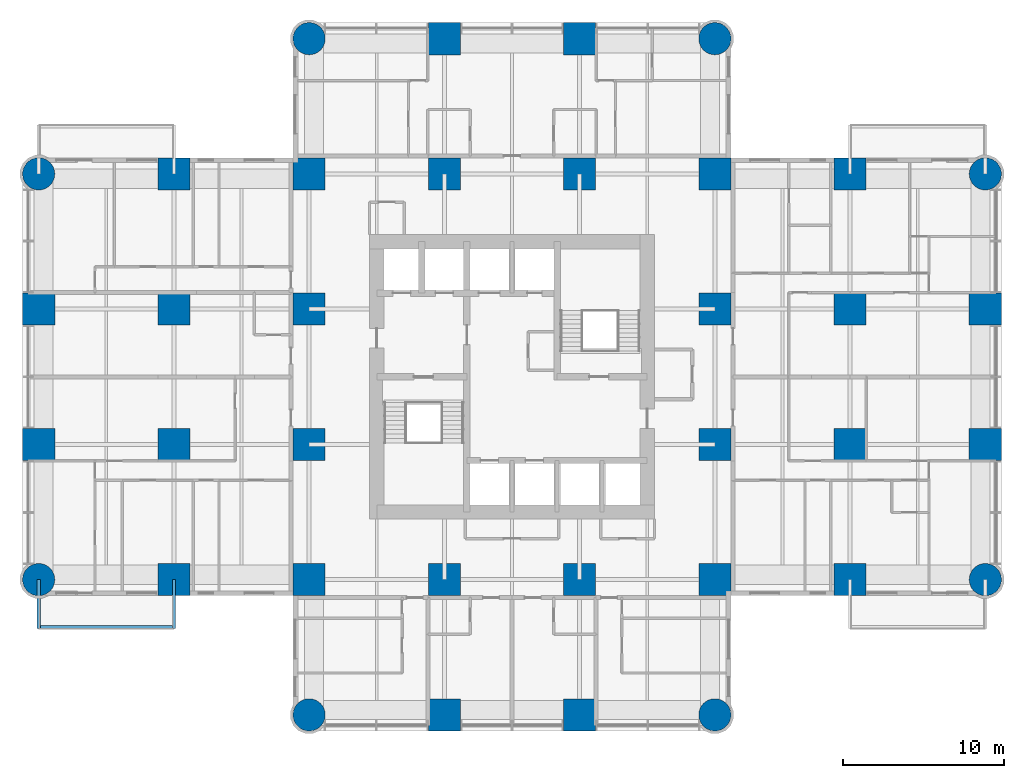
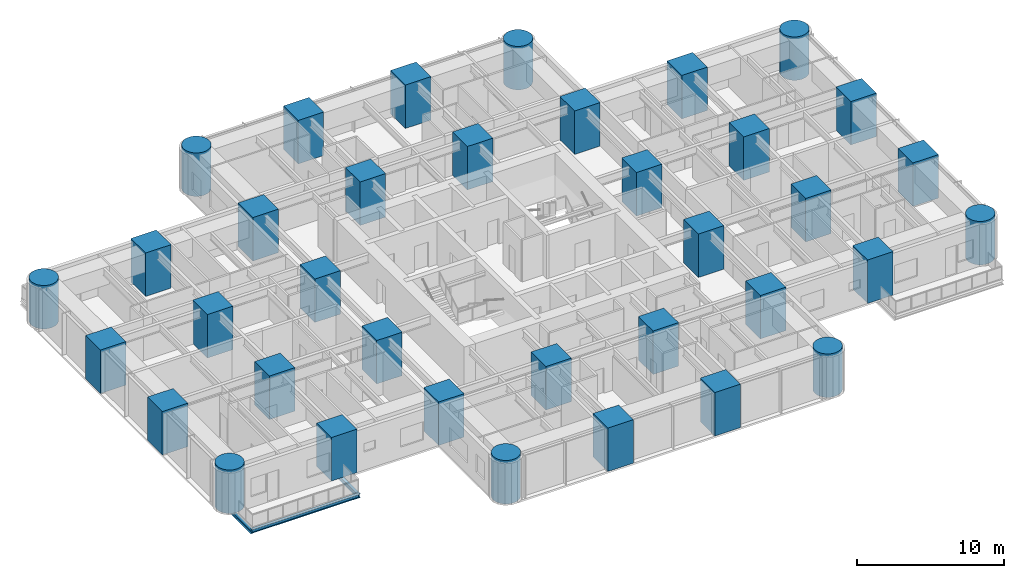
# One storey, part 1 of 14: 36 columns, 3 beams.
"""IFC4 building model written with IfcOpenShell, lengths in metres."""

from ifc_helpers import new_model, si_unit, direction, frame, origin, origin_2d, place, context, subcontext, project, spatial, rectangle, circle, i_section, extrude, material, material_profile, profile_set, type_object, element, save


model = new_model("IFC4")

# Units and contexts
model_context = context("Model", 3, precision=1e-05, world=origin(), true_north=direction((0.0, 1.0)))
body_context = subcontext(model_context, "Body", "Model", "MODEL_VIEW")
ifc_project = project(units=[si_unit("LENGTHUNIT", "METRE"), si_unit("AREAUNIT", "SQUARE_METRE"), si_unit("VOLUMEUNIT", "CUBIC_METRE"), si_unit("PLANEANGLEUNIT", "RADIAN"), si_unit("MASSUNIT", "GRAM", prefix="KILO")], contexts=[model_context])

# Site, building, storey
site_placement = place(None, origin())
site = spatial("IfcSite", under=ifc_project, at=site_placement, CompositionType="ELEMENT")
building_placement = place(site_placement, origin())
building = spatial("IfcBuilding", under=site, at=building_placement, Name="Torre Alcanfor", CompositionType="ELEMENT")
storey_placement = place(building_placement, frame((0.0, 0.0, 112.5)))
storey = spatial("IfcBuildingStorey", under=building, at=storey_placement, Name="L28", CompositionType="ELEMENT", Elevation=112.5)

# Columns
ifc_material_1 = material(Name="Concrete f'c 70 MPa", Category="concrete")
ifc_material_profile_1 = material_profile(ifc_material_1, rectangle(XDim=2.0, YDim=2.0, at=origin_2d()), Name="2000x2000")
ifc_profile_set_1 = profile_set([ifc_material_profile_1], Name="Concrete f'c 70 MPa")
column_type_1 = type_object("IfcColumnType", Name="RC column 2000x2000 f'c70", PredefinedType="COLUMN", material=ifc_profile_set_1)
for number, where, z_axis, x_axis, name in (
    (1, (0.0, 25.199951171875, 0.0), (0.0, 0.0, 1.0), (1.0, 0.0, 0.0), "Column 1/F L28"),
    (2, (0.0, 33.60009765625, 0.0), (0.0, 0.0, 1.0), (1.0, 0.0, 0.0), "Column 1/G L28"),
    (3, (8.39990234375, 16.800048828125, 0.0), (0.0, 0.0, 1.0), (1.0, 0.0, 0.0), "Column 2/E L28"),
    (4, (8.39990234375, 25.199951171875, 0.0), (0.0, 0.0, 1.0), (1.0, 0.0, 0.0), "Column 2/F L28"),
    (5, (8.39990234375, 33.60009765625, 0.0), (0.0, 0.0, 1.0), (1.0, 0.0, 0.0), "Column 2/G L28"),
    (6, (8.39990234375, 42.0, 0.0), (0.0, 0.0, 1.0), (1.0, 0.0, 0.0), "Column 2/H L28"),
    (7, (16.800048828125, 16.800048828125, 0.0), (0.0, 0.0, 1.0), (1.0, 0.0, 0.0), "Column 3/E L28"),
    (8, (16.800048828125, 25.199951171875, 0.0), (0.0, 0.0, 1.0), (1.0, 0.0, 0.0), "Column 3/F L28"),
    (9, (16.800048828125, 33.60009765625, 0.0), (0.0, 0.0, 1.0), (1.0, 0.0, 0.0), "Column 3/G L28"),
    (10, (16.800048828125, 42.0, 0.0), (0.0, 0.0, 1.0), (1.0, 0.0, 0.0), "Column 3/H L28"),
    (11, (25.199951171875, 8.39990234375, 0.0), (0.0, 0.0, 1.0), (1.0, 0.0, 0.0), "Column 4/D L28"),
    (12, (25.199951171875, 16.800048828125, 0.0), (0.0, 0.0, 1.0), (1.0, 0.0, 0.0), "Column 4/E L28"),
    (13, (25.199951171875, 42.0, 0.0), (0.0, 0.0, 1.0), (1.0, 0.0, 0.0), "Column 4/H L28"),
    (14, (25.199951171875, 50.39990234375, 0.0), (0.0, 0.0, 1.0), (1.0, 0.0, 0.0), "Column 4/J L28"),
    (15, (33.60009765625, 8.39990234375, 0.0), (0.0, 0.0, 1.0), (1.0, 0.0, 0.0), "Column 5/D L28"),
    (16, (33.60009765625, 16.800048828125, 0.0), (0.0, 0.0, 1.0), (1.0, 0.0, 0.0), "Column 5/E L28"),
    (17, (33.60009765625, 42.0, 0.0), (0.0, 0.0, 1.0), (1.0, 0.0, 0.0), "Column 5/H L28"),
    (18, (33.60009765625, 50.39990234375, 0.0), (0.0, 0.0, 1.0), (1.0, 0.0, 0.0), "Column 5/J L28"),
    (19, (42.0, 16.800048828125, 0.0), (0.0, 0.0, 1.0), (1.0, 0.0, 0.0), "Column 6/E L28"),
    (20, (42.0, 25.199951171875, 0.0), (0.0, 0.0, 1.0), (1.0, 0.0, 0.0), "Column 6/F L28"),
    (21, (42.0, 33.60009765625, 0.0), (0.0, 0.0, 1.0), (1.0, 0.0, 0.0), "Column 6/G L28"),
    (22, (42.0, 42.0, 0.0), (0.0, 0.0, 1.0), (1.0, 0.0, 0.0), "Column 6/H L28"),
    (23, (50.39990234375, 16.800048828125, 0.0), (0.0, 0.0, 1.0), (1.0, 0.0, 0.0), "Column 7/E L28"),
    (24, (50.39990234375, 25.199951171875, 0.0), (0.0, 0.0, 1.0), (1.0, 0.0, 0.0), "Column 7/F L28"),
    (25, (50.39990234375, 33.60009765625, 0.0), (0.0, 0.0, 1.0), (1.0, 0.0, 0.0), "Column 7/G L28"),
    (26, (50.39990234375, 42.0, 0.0), (0.0, 0.0, 1.0), (1.0, 0.0, 0.0), "Column 7/H L28"),
    (27, (58.800048828125, 25.199951171875, 0.0), (0.0, 0.0, 1.0), (1.0, 0.0, 0.0), "Column 8/F L28"),
    (28, (58.800048828125, 33.60009765625, 0.0), (0.0, 0.0, 1.0), (1.0, 0.0, 0.0), "Column 8/G L28"),
):
    element("IfcColumn", number, at=place(storey_placement, frame(where, z_axis=z_axis, x_axis=x_axis)), inside=storey, type_object=column_type_1, Name=name, PredefinedType="COLUMN", context=body_context, shape_type="SweptSolid", body=[
        extrude(rectangle(XDim=2.0, YDim=2.0, at=origin_2d()), origin(), (0.0, 0.0, 1.0), 3.60009765625),
    ])
ifc_material_2 = material(Name="Concrete f'c 70 MPa", Category="concrete")
ifc_material_profile_2 = material_profile(ifc_material_2, circle(Radius=1.0, at=origin_2d()), Name="D2000")
ifc_profile_set_2 = profile_set([ifc_material_profile_2], Name="Concrete f'c 70 MPa")
column_type_2 = type_object("IfcColumnType", Name="RC column D2000 f'c70", PredefinedType="COLUMN", material=ifc_profile_set_2)
for number, where, z_axis, x_axis, name in (
    (29, (0.0, 16.800048828125, 0.0), (0.0, 0.0, 1.0), (1.0, 0.0, 0.0), "Column 1/E L28"),
    (30, (0.0, 42.0, 0.0), (0.0, 0.0, 1.0), (1.0, 0.0, 0.0), "Column 1/H L28"),
    (31, (16.800048828125, 8.39990234375, 0.0), (0.0, 0.0, 1.0), (1.0, 0.0, 0.0), "Column 3/D L28"),
    (32, (16.800048828125, 50.39990234375, 0.0), (0.0, 0.0, 1.0), (1.0, 0.0, 0.0), "Column 3/J L28"),
    (33, (42.0, 8.39990234375, 0.0), (0.0, 0.0, 1.0), (1.0, 0.0, 0.0), "Column 6/D L28"),
    (34, (42.0, 50.39990234375, 0.0), (0.0, 0.0, 1.0), (1.0, 0.0, 0.0), "Column 6/J L28"),
    (35, (58.800048828125, 16.800048828125, 0.0), (0.0, 0.0, 1.0), (1.0, 0.0, 0.0), "Column 8/E L28"),
    (36, (58.800048828125, 42.0, 0.0), (0.0, 0.0, 1.0), (1.0, 0.0, 0.0), "Column 8/H L28"),
):
    element("IfcColumn", number, at=place(storey_placement, frame(where, z_axis=z_axis, x_axis=x_axis)), inside=storey, type_object=column_type_2, Name=name, PredefinedType="COLUMN", context=body_context, shape_type="SweptSolid", body=[
        extrude(circle(Radius=1.0, at=origin_2d()), origin(), (0.0, 0.0, 1.0), 3.60009765625),
    ])

# Beams
ifc_material_3 = material(Name="Steel ASTM A992 Grade 50", Category="steel")
ifc_material_profile_3 = material_profile(ifc_material_3, i_section(OverallWidth=0.205322265625, OverallDepth=0.309814453125, WebThickness=0.00927734375, FlangeThickness=0.016357421875, at=origin_2d()), Name="W12x50")
ifc_profile_set_3 = profile_set([ifc_material_profile_3], Name="Steel ASTM A992 Grade 50")
beam_type_1 = type_object("IfcBeamType", Name="Balcony cantilever beam W12x50", PredefinedType="BEAM", material=ifc_profile_set_3)
for number, where, z_axis, x_axis, name in (
    (37, (8.39990234375, 16.800048828125, -0.35498046875), (0.0, -1.0, 0.0), (1.0, 0.0, 0.0), "Balcony cantilever beam L28-W1 1"),
    (38, (0.0, 16.800048828125, -0.35498046875), (0.0, -1.0, 0.0), (1.0, 0.0, 0.0), "Balcony cantilever beam L28-W1 2"),
):
    element("IfcBeam", number, at=place(storey_placement, frame(where, z_axis=z_axis, x_axis=x_axis)), inside=storey, type_object=beam_type_1, Name=name, PredefinedType="BEAM", context=body_context, shape_type="SweptSolid", body=[
        extrude(i_section(OverallWidth=0.205322265625, OverallDepth=0.309814453125, WebThickness=0.00927734375, FlangeThickness=0.016357421875, at=origin_2d()), origin(), (0.0, 0.0, 1.0), 3.050048828125),
    ])
ifc_material_4 = material(Name="Steel ASTM A992 Grade 50", Category="steel")
ifc_material_profile_4 = material_profile(ifc_material_4, i_section(OverallWidth=0.203369140625, OverallDepth=0.30224609375, WebThickness=0.007568359375, FlangeThickness=0.01318359375, at=origin_2d()), Name="W12x40")
ifc_profile_set_4 = profile_set([ifc_material_profile_4], Name="Steel ASTM A992 Grade 50")
beam_type_2 = type_object("IfcBeamType", Name="Balcony edge trimmer W12x40", PredefinedType="BEAM", material=ifc_profile_set_4)
beam_placement = place(storey_placement, frame((8.39990234375, 13.851806640625, -0.35107421875), z_axis=(-1.0, 0.0, 0.0), x_axis=(0.0, -1.0, 0.0)))
element("IfcBeam", 39, at=beam_placement, inside=storey, type_object=beam_type_2, Name="Balcony edge trimmer L28-W1", PredefinedType="BEAM", context=body_context, shape_type="SweptSolid", body=[
    extrude(i_section(OverallWidth=0.203369140625, OverallDepth=0.30224609375, WebThickness=0.007568359375, FlangeThickness=0.01318359375, at=origin_2d()), origin(), (0.0, 0.0, 1.0), 8.39990234375),
])

save(model, "model.ifc")
